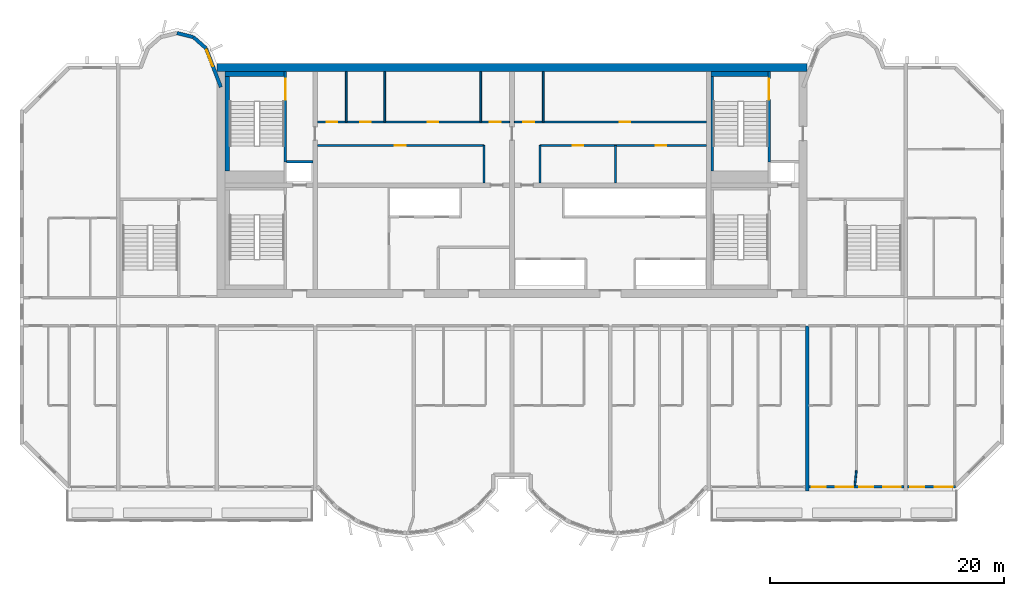
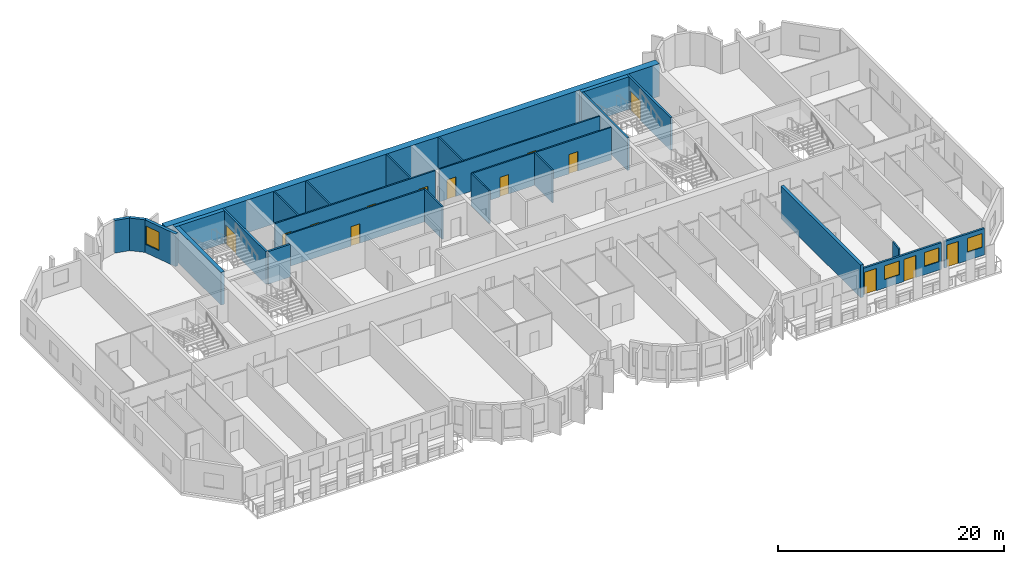
# One storey, part 7 of 13: 26 walls, 14 doors, 4 windows, 18 openings.
"""IFC4 building model written with IfcOpenShell, lengths in metres."""

from ifc_helpers import new_model, si_unit, direction, frame, frame_2d, origin, place, context, subcontext, project, spatial, rectangle, extrude, source, transform, mapped, material, layer, layer_set, type_object, element, fill, save


model = new_model("IFC4")

# Units and contexts
model_context = context("Model", 3, precision=1e-05, world=origin(), true_north=direction((0.0, 1.0)))
body_context = subcontext(model_context, "Body", "Model", "MODEL_VIEW")
ifc_project = project(units=[si_unit("LENGTHUNIT", "METRE"), si_unit("AREAUNIT", "SQUARE_METRE"), si_unit("VOLUMEUNIT", "CUBIC_METRE"), si_unit("PLANEANGLEUNIT", "RADIAN"), si_unit("MASSUNIT", "GRAM", prefix="KILO")], contexts=[model_context])

# Site, building, storey
site_placement = place(None, origin())
site = spatial("IfcSite", under=ifc_project, at=site_placement, CompositionType="ELEMENT")
building_placement = place(site_placement, origin())
building = spatial("IfcBuilding", under=site, at=building_placement, Name="Vanashikhar Sky Hotel", CompositionType="ELEMENT")
storey_placement = place(building_placement, frame((0.0, 0.0, 197.199951171875)))
storey = spatial("IfcBuildingStorey", under=building, at=storey_placement, Name="L48", CompositionType="ELEMENT", Elevation=197.199951171875)

# Walls
ifc_material_1 = material(Name="Concrete M60", Category="concrete")
ifc_layer_1 = layer(ifc_material_1, 0.699951171875)
ifc_layer_set_1 = layer_set([ifc_layer_1], Name="RC core shell wall 700 Concrete M60")
wall_type_1 = type_object("IfcWallType", Name="RC core shell wall 700 Concrete M60", PredefinedType="SHEAR", material=ifc_layer_set_1)
shared_shape_1 = source(origin(), body_context, "Body", "SweptSolid", [
    extrude(rectangle(XDim=50.400146484375, YDim=0.699951171875, at=frame_2d((25.2001953125, 0.0))), origin(), (0.0, 0.0, 1.0), 3.52001953125),
])
wall_1_placement = place(storey_placement, frame((25.199951171875, 41.64990234375, 0.0), z_axis=(0.0, 0.0, 1.0), x_axis=(1.0, 0.0, 0.0)))
element("IfcWall", 1, at=wall_1_placement, inside=storey, type_object=wall_type_1, Name="KW-L48-KN", PredefinedType="SHEAR", context=body_context, shape_type="MappedRepresentation", body=[
    mapped(shared_shape_1, transform((0.0, 0.0, 0.0), scale=1.0)),
])
ifc_layer_2 = layer(ifc_material_1, 0.300048828125)
ifc_layer_set_2 = layer_set([ifc_layer_2], Name="RC shear wall 300 Concrete M60")
wall_type_2 = type_object("IfcWallType", Name="RC shear wall 300 Concrete M60", PredefinedType="SHEAR", material=ifc_layer_set_2)
shared_shape_2 = source(origin(), body_context, "Body", "SweptSolid", [
    extrude(rectangle(XDim=14.10009765625, YDim=0.300048828125, at=frame_2d((7.050048828125, 0.0))), origin(), (0.0, 0.0, 1.0), 3.52001953125),
])
wall_2_placement = place(storey_placement, frame((75.60009765625, 5.5, 0.0), z_axis=(0.0, 0.0, 1.0), x_axis=(0.0, 1.0, 0.0)))
element("IfcWall", 2, at=wall_2_placement, inside=storey, type_object=wall_type_2, Name="CW-L48-XW10-1", PredefinedType="SHEAR", context=body_context, shape_type="MappedRepresentation", body=[
    mapped(shared_shape_2, transform((0.0, 0.0, 0.0), scale=1.0)),
])

# Wall, opening, window
ifc_material_2 = material(Name="Concrete M50", Category="concrete")
ifc_layer_3 = layer(ifc_material_2, 0.300048828125)
ifc_layer_set_3 = layer_set([ifc_layer_3], Name="Lobe wall 300")
wall_type_3 = type_object("IfcWallType", Name="Lobe wall 300", PredefinedType="SOLIDWALL", material=ifc_layer_set_3)
shared_shape_3 = source(origin(), body_context, "Body", "SweptSolid", [
    extrude(rectangle(XDim=3.55908203125, YDim=0.300048828125, at=frame_2d((1.779541015625, 0.0))), origin(), (0.0, 0.0, 1.0), 3.52001953125),
])
wall_3_placement = place(storey_placement, frame((25.550048828125, 39.968505859375, 0.0), z_axis=(0.0, 0.0, 1.0), x_axis=(-0.35779745313, 0.933799219604, 0.0)))
wall_3 = element("IfcWall", 3, at=wall_3_placement, inside=storey, type_object=wall_type_3, Name="Lobe wall", PredefinedType="SOLIDWALL", context=body_context, shape_type="MappedRepresentation", body=[
    mapped(shared_shape_3, transform((0.0, 0.0, 0.0), scale=1.0)),
])
shared_shape_4 = source(origin(), body_context, "Body", "SweptSolid", [
    extrude(rectangle(XDim=1.5, YDim=2.0, at=frame_2d((0.75, 1.0))), frame((0.0, 0.16015625, 0.0), z_axis=(0.0, -1.0, 0.0), x_axis=(1.0, 0.0, 0.0)), (0.0, 0.0, 1.0), 0.320068359375),
])
opening_1_placement = place(wall_3_placement, frame((1.9033203125, 0.0, 0.89990234375)))
opening_1 = element("IfcOpeningElement", 4, at=opening_1_placement, cuts=wall_3, Name="Opening WN-2", PredefinedType="OPENING", context=body_context, shape_type="MappedRepresentation", body=[
    mapped(shared_shape_4, transform((0.0, 0.0, 0.0), scale=1.0)),
])
ifc_material_3 = material(Name="Glass", Category="glass")
window_type_1 = type_object("IfcWindowType", Name="Lobe window 1500 x 2000", PartitioningType="SINGLE_PANEL", PredefinedType="WINDOW", material=ifc_material_3)
shared_shape_5 = source(origin(), body_context, "Body", "SweptSolid", [
    extrude(rectangle(XDim=1.5, YDim=2.0, at=frame_2d((0.75, 1.0))), frame((0.0, 0.030029296875, 0.0), z_axis=(0.0, -1.0, 0.0), x_axis=(1.0, 0.0, 0.0)), (0.0, 0.0, 1.0), 0.06005859375),
])
window_1_placement = place(opening_1_placement, origin())
window_1 = element("IfcWindow", 5, at=window_1_placement, inside=storey, type_object=window_type_1, Name="Window WN-2", OverallHeight=2.0, OverallWidth=1.5, PartitioningType="SINGLE_PANEL", PredefinedType="WINDOW", context=body_context, shape_type="MappedRepresentation", body=[
    mapped(shared_shape_5, transform((0.0, 0.0, 0.0), scale=1.0)),
])
fill(opening_1, window_1)

# Walls
shared_shape_6 = source(origin(), body_context, "Body", "SweptSolid", [
    extrude(rectangle(XDim=1.440185546875, YDim=0.300048828125, at=frame_2d((0.72021484375, 0.0))), origin(), (0.0, 0.0, 1.0), 3.52001953125),
])
wall_4_placement = place(storey_placement, frame((24.276611328125, 43.2919921875, 0.0), z_axis=(0.0, 0.0, 1.0), x_axis=(-0.749649827867, 0.661834673902, 0.0)))
element("IfcWall", 6, at=wall_4_placement, inside=storey, type_object=wall_type_3, Name="Lobe wall", PredefinedType="SOLIDWALL", context=body_context, shape_type="MappedRepresentation", body=[
    mapped(shared_shape_6, transform((0.0, 0.0, 0.0), scale=1.0)),
])
shared_shape_7 = source(origin(), body_context, "Body", "SweptSolid", [
    extrude(rectangle(XDim=1.4384765625, YDim=0.300048828125, at=frame_2d((0.71923828125, 0.0))), origin(), (0.0, 0.0, 1.0), 3.52001953125),
])
wall_5_placement = place(storey_placement, frame((23.197021484375, 44.2451171875, 0.0), z_axis=(0.0, 0.0, 1.0), x_axis=(-0.971152283879, 0.238460146601, 0.0)))
element("IfcWall", 7, at=wall_5_placement, inside=storey, type_object=wall_type_3, Name="Lobe wall", PredefinedType="SOLIDWALL", context=body_context, shape_type="MappedRepresentation", body=[
    mapped(shared_shape_7, transform((0.0, 0.0, 0.0), scale=1.0)),
])

# Wall, openings, window, door
ifc_layer_4 = layer(ifc_material_2, 0.199951171875)
ifc_layer_set_4 = layer_set([ifc_layer_4], Name="Front window wall 200")
wall_type_4 = type_object("IfcWallType", Name="Front window wall 200", PredefinedType="SOLIDWALL", material=ifc_layer_set_4)
shared_shape_8 = source(origin(), body_context, "Body", "SweptSolid", [
    extrude(rectangle(XDim=4.10498046875, YDim=0.199951171875, at=frame_2d((2.052490234375, 0.0))), origin(), (0.0, 0.0, 1.0), 2.8701171875),
])
wall_6_placement = place(storey_placement, frame((84.14990234375, 5.85009765625, 0.0), z_axis=(0.0, 0.0, 1.0), x_axis=(1.0, 0.0, 0.0)))
wall_6 = element("IfcWall", 8, at=wall_6_placement, inside=storey, type_object=wall_type_4, Name="Front window wall", PredefinedType="SOLIDWALL", context=body_context, shape_type="MappedRepresentation", body=[
    mapped(shared_shape_8, transform((0.0, 0.0, 0.0), scale=1.0)),
])
shared_shape_9 = source(origin(), body_context, "Body", "SweptSolid", [
    extrude(rectangle(XDim=1.199951171875, YDim=2.39990234375, at=frame_2d((0.60009765625, 1.199951171875))), frame((0.0, 0.10986328125, 0.0), z_axis=(0.0, -1.0, 0.0), x_axis=(1.0, 0.0, 0.0)), (0.0, 0.0, 1.0), 0.219970703125),
])
opening_2_placement = place(wall_6_placement, frame((0.25, 0.0, 0.0)))
opening_2 = element("IfcOpeningElement", 9, at=opening_2_placement, cuts=wall_6, Name="Opening BD-10", PredefinedType="OPENING", context=body_context, shape_type="MappedRepresentation", body=[
    mapped(shared_shape_9, transform((0.0, 0.0, 0.0), scale=1.0)),
])
shared_shape_10 = source(origin(), body_context, "Body", "SweptSolid", [
    extrude(rectangle(XDim=1.5, YDim=1.5, at=frame_2d((0.75, 0.75))), frame((0.0, 0.10986328125, 0.0), z_axis=(0.0, -1.0, 0.0), x_axis=(1.0, 0.0, 0.0)), (0.0, 0.0, 1.0), 0.219970703125),
])
opening_3_placement = place(wall_6_placement, frame((2.35498046875, 0.0, 0.89990234375)))
opening_3 = element("IfcOpeningElement", 10, at=opening_3_placement, cuts=wall_6, Name="Opening WN-1", PredefinedType="OPENING", context=body_context, shape_type="MappedRepresentation", body=[
    mapped(shared_shape_10, transform((0.0, 0.0, 0.0), scale=1.0)),
])
window_type_2 = type_object("IfcWindowType", Name="Window 1500 x 1500", PartitioningType="SINGLE_PANEL", PredefinedType="WINDOW", material=ifc_material_3)
shared_shape_11 = source(origin(), body_context, "Body", "SweptSolid", [
    extrude(rectangle(XDim=1.5, YDim=1.5, at=frame_2d((0.75, 0.75))), frame((0.0, 0.030029296875, 0.0), z_axis=(0.0, -1.0, 0.0), x_axis=(1.0, 0.0, 0.0)), (0.0, 0.0, 1.0), 0.06005859375),
])
window_2_placement = place(opening_3_placement, origin())
window_2 = element("IfcWindow", 11, at=window_2_placement, inside=storey, type_object=window_type_2, Name="Window WN-1", OverallHeight=1.5, OverallWidth=1.5, PartitioningType="SINGLE_PANEL", PredefinedType="WINDOW", context=body_context, shape_type="MappedRepresentation", body=[
    mapped(shared_shape_11, transform((0.0, 0.0, 0.0), scale=1.0)),
])
fill(opening_3, window_2)
ifc_material_4 = material(Name="Aluminium", Category="aluminium")
door_type_1 = type_object("IfcDoorType", Name="Balcony sliding door 1200 x 2400", OperationType="NOTDEFINED", PredefinedType="DOOR", material=ifc_material_4)
shared_shape_12 = source(origin(), body_context, "Body", "SweptSolid", [
    extrude(rectangle(XDim=1.199951171875, YDim=2.39990234375, at=frame_2d((0.60009765625, 1.199951171875))), frame((0.0, 0.02490234375, 0.0), z_axis=(0.0, -1.0, 0.0), x_axis=(1.0, 0.0, 0.0)), (0.0, 0.0, 1.0), 0.050048828125),
])
door_1_placement = place(opening_2_placement, origin())
door_1 = element("IfcDoor", 12, at=door_1_placement, inside=storey, type_object=door_type_1, Name="Balcony sliding door", OperationType="SLIDING_TO_RIGHT", OverallHeight=2.39990234375, OverallWidth=1.199951171875, PredefinedType="DOOR", context=body_context, shape_type="MappedRepresentation", body=[
    mapped(shared_shape_12, transform((0.0, 0.0, 0.0), scale=1.0)),
])
fill(opening_2, door_1)

# Wall, openings, windows, doors
shared_shape_13 = source(origin(), body_context, "Body", "SweptSolid", [
    extrude(rectangle(XDim=8.10009765625, YDim=0.199951171875, at=frame_2d((4.050048828125, 0.0))), origin(), (0.0, 0.0, 1.0), 2.8701171875),
])
wall_7_placement = place(storey_placement, frame((75.75, 5.85009765625, 0.0), z_axis=(0.0, 0.0, 1.0), x_axis=(1.0, 0.0, 0.0)))
wall_7 = element("IfcWall", 13, at=wall_7_placement, inside=storey, type_object=wall_type_4, Name="Front window wall", PredefinedType="SOLIDWALL", context=body_context, shape_type="MappedRepresentation", body=[
    mapped(shared_shape_13, transform((0.0, 0.0, 0.0), scale=1.0)),
])
opening_4_placement = place(wall_7_placement, frame((0.25, 0.0, 0.0)))
opening_4 = element("IfcOpeningElement", 14, at=opening_4_placement, cuts=wall_7, Name="Opening BD-08", PredefinedType="OPENING", context=body_context, shape_type="MappedRepresentation", body=[
    mapped(shared_shape_9, transform((0.0, 0.0, 0.0), scale=1.0)),
])
opening_5_placement = place(wall_7_placement, frame((2.300048828125, 0.0, 0.89990234375)))
opening_5 = element("IfcOpeningElement", 15, at=opening_5_placement, cuts=wall_7, Name="Opening WN-1", PredefinedType="OPENING", context=body_context, shape_type="MappedRepresentation", body=[
    mapped(shared_shape_10, transform((0.0, 0.0, 0.0), scale=1.0)),
])
opening_6_placement = place(wall_7_placement, frame((4.300048828125, 0.0, 0.0)))
opening_6 = element("IfcOpeningElement", 16, at=opening_6_placement, cuts=wall_7, Name="Opening BD-09", PredefinedType="OPENING", context=body_context, shape_type="MappedRepresentation", body=[
    mapped(shared_shape_9, transform((0.0, 0.0, 0.0), scale=1.0)),
])
opening_7_placement = place(wall_7_placement, frame((6.35009765625, 0.0, 0.89990234375)))
opening_7 = element("IfcOpeningElement", 17, at=opening_7_placement, cuts=wall_7, Name="Opening WN-1", PredefinedType="OPENING", context=body_context, shape_type="MappedRepresentation", body=[
    mapped(shared_shape_10, transform((0.0, 0.0, 0.0), scale=1.0)),
])
window_3_placement = place(opening_5_placement, origin())
window_3 = element("IfcWindow", 18, at=window_3_placement, inside=storey, type_object=window_type_2, Name="Window WN-1", OverallHeight=1.5, OverallWidth=1.5, PartitioningType="SINGLE_PANEL", PredefinedType="WINDOW", context=body_context, shape_type="MappedRepresentation", body=[
    mapped(shared_shape_11, transform((0.0, 0.0, 0.0), scale=1.0)),
])
fill(opening_5, window_3)
window_4_placement = place(opening_7_placement, origin())
window_4 = element("IfcWindow", 19, at=window_4_placement, inside=storey, type_object=window_type_2, Name="Window WN-1", OverallHeight=1.5, OverallWidth=1.5, PartitioningType="SINGLE_PANEL", PredefinedType="WINDOW", context=body_context, shape_type="MappedRepresentation", body=[
    mapped(shared_shape_11, transform((0.0, 0.0, 0.0), scale=1.0)),
])
fill(opening_7, window_4)
door_2_placement = place(opening_4_placement, origin())
door_2 = element("IfcDoor", 20, at=door_2_placement, inside=storey, type_object=door_type_1, Name="Balcony sliding door", OperationType="SLIDING_TO_RIGHT", OverallHeight=2.39990234375, OverallWidth=1.199951171875, PredefinedType="DOOR", context=body_context, shape_type="MappedRepresentation", body=[
    mapped(shared_shape_12, transform((0.0, 0.0, 0.0), scale=1.0)),
])
fill(opening_4, door_2)
door_3_placement = place(opening_6_placement, origin())
door_3 = element("IfcDoor", 21, at=door_3_placement, inside=storey, type_object=door_type_1, Name="Balcony sliding door", OperationType="SLIDING_TO_LEFT", OverallHeight=2.39990234375, OverallWidth=1.199951171875, PredefinedType="DOOR", context=body_context, shape_type="MappedRepresentation", body=[
    mapped(shared_shape_12, transform((0.0, 0.0, 0.0), scale=1.0)),
])
fill(opening_6, door_3)

# Walls
ifc_material_5 = material(Name="Concrete M40", Category="concrete")
ifc_layer_5 = layer(ifc_material_5, 0.199951171875)
ifc_layer_set_5 = layer_set([ifc_layer_5], Name="Shaft wall 200")
wall_type_5 = type_object("IfcWallType", Name="Shaft wall 200", PredefinedType="SOLIDWALL", material=ifc_layer_set_5)
shared_shape_14 = source(origin(), body_context, "Body", "SweptSolid", [
    extrude(rectangle(XDim=2.25, YDim=0.199951171875, at=frame_2d((1.125, 0.0))), origin(), (0.0, 0.0, 1.0), 3.52001953125),
])
wall_8_placement = place(storey_placement, frame((31.14990234375, 33.60009765625, 0.0), z_axis=(0.0, 0.0, 1.0), x_axis=(1.0, 0.0, 0.0)))
element("IfcWall", 22, at=wall_8_placement, inside=storey, type_object=wall_type_5, Name="Shaft wall 200", PredefinedType="SOLIDWALL", context=body_context, shape_type="MappedRepresentation", body=[
    mapped(shared_shape_14, transform((0.0, 0.0, 0.0), scale=1.0)),
])
ifc_layer_6 = layer(ifc_material_2, 0.199951171875)
ifc_layer_set_6 = layer_set([ifc_layer_6], Name="Stair infill wall 200")
wall_type_6 = type_object("IfcWallType", Name="Stair infill wall 200", PredefinedType="SOLIDWALL", material=ifc_layer_set_6)
shared_shape_15 = source(origin(), body_context, "Body", "SweptSolid", [
    extrude(rectangle(XDim=8.099853515625, YDim=0.199951171875, at=frame_2d((4.0498046875, 0.0))), origin(), (0.0, 0.0, 1.0), 3.52001953125),
])
wall_9_placement = place(storey_placement, frame((67.5, 32.800048828125, 0.0), z_axis=(0.0, 0.0, 1.0), x_axis=(0.0, 1.0, 0.0)))
element("IfcWall", 23, at=wall_9_placement, inside=storey, type_object=wall_type_6, Name="Stair infill wall 200", PredefinedType="SOLIDWALL", context=body_context, shape_type="MappedRepresentation", body=[
    mapped(shared_shape_15, transform((0.0, 0.0, 0.0), scale=1.0)),
])
ifc_material_6 = material(Name="Gypsum board partition")
ifc_layer_7 = layer(ifc_material_6, 0.14990234375)
ifc_layer_set_7 = layer_set([ifc_layer_7], Name="Service partition 150")
wall_type_7 = type_object("IfcWallType", Name="Service partition 150", PredefinedType="PARTITIONING", material=ifc_layer_set_7)
shared_shape_16 = source(origin(), body_context, "Body", "SweptSolid", [
    extrude(rectangle(XDim=3.199951171875, YDim=0.14990234375, at=frame_2d((1.60009765625, 0.0))), origin(), (0.0, 0.0, 1.0), 3.52001953125),
])
for number, where, z_axis, x_axis, name in (
    (24, (48.0, 31.800048828125, 0.0), (0.0, 0.0, 1.0), (0.0, 1.0, 0.0), "Service partition 150"),
    (25, (52.800048828125, 31.800048828125, 0.0), (0.0, 0.0, 1.0), (0.0, 1.0, 0.0), "Service partition 150"),
    (26, (59.23095703125, 31.800048828125, 0.0), (0.0, 0.0, 1.0), (0.0, 1.0, 0.0), "Service partition 150"),
):
    element("IfcWall", number, at=place(storey_placement, frame(where, z_axis=z_axis, x_axis=x_axis)), inside=storey, type_object=wall_type_7, Name=name, PredefinedType="PARTITIONING", context=body_context, shape_type="MappedRepresentation", body=[
        mapped(shared_shape_16, transform((0.0, 0.0, 0.0), scale=1.0)),
    ])

# Wall, opening, door
shared_shape_17 = source(origin(), body_context, "Body", "SweptSolid", [
    extrude(rectangle(XDim=14.199951171875, YDim=0.14990234375, at=frame_2d((7.10009765625, 0.0))), origin(), (0.0, 0.0, 1.0), 3.52001953125),
])
wall_10_placement = place(storey_placement, frame((33.800048828125, 35.0, 0.0), z_axis=(0.0, 0.0, 1.0), x_axis=(1.0, 0.0, 0.0)))
wall_10 = element("IfcWall", 27, at=wall_10_placement, inside=storey, type_object=wall_type_7, Name="Service partition 150", PredefinedType="PARTITIONING", context=body_context, shape_type="MappedRepresentation", body=[
    mapped(shared_shape_17, transform((0.0, 0.0, 0.0), scale=1.0)),
])
shared_shape_18 = source(origin(), body_context, "Body", "SweptSolid", [
    extrude(rectangle(XDim=0.89990234375, YDim=2.10009765625, at=frame_2d((0.449951171875, 1.050048828125))), frame((0.0, 0.0849609375, 0.0), z_axis=(0.0, -1.0, 0.0), x_axis=(1.0, 0.0, 0.0)), (0.0, 0.0, 1.0), 0.169921875),
])
opening_8_placement = place(wall_10_placement, frame((6.612060546875, 0.0, 0.0)))
opening_8 = element("IfcOpeningElement", 28, at=opening_8_placement, cuts=wall_10, Name="Opening DC-4-A", PredefinedType="OPENING", context=body_context, shape_type="MappedRepresentation", body=[
    mapped(shared_shape_18, transform((0.0, 0.0, 0.0), scale=1.0)),
])
ifc_material_7 = material(Name="Steel", Category="steel")
door_type_2 = type_object("IfcDoorType", Name="Service door 900 FD60", OperationType="NOTDEFINED", PredefinedType="DOOR", material=ifc_material_7)
shared_shape_19 = source(origin(), body_context, "Body", "SweptSolid", [
    extrude(rectangle(XDim=0.89990234375, YDim=2.10009765625, at=frame_2d((0.449951171875, 1.050048828125))), frame((0.0, 0.02490234375, 0.0), z_axis=(0.0, -1.0, 0.0), x_axis=(1.0, 0.0, 0.0)), (0.0, 0.0, 1.0), 0.050048828125),
])
door_4_placement = place(opening_8_placement, origin())
door_4 = element("IfcDoor", 29, at=door_4_placement, inside=storey, type_object=door_type_2, Name="Service door 900 FD60", OperationType="SINGLE_SWING_RIGHT", OverallHeight=2.10009765625, OverallWidth=0.89990234375, PredefinedType="DOOR", context=body_context, shape_type="MappedRepresentation", body=[
    mapped(shared_shape_19, transform((0.0, 0.0, 0.0), scale=1.0)),
])
fill(opening_8, door_4)

# Wall, openings, doors
wall_11_placement = place(storey_placement, frame((67.0, 35.0, 0.0), z_axis=(0.0, 0.0, 1.0), x_axis=(-1.0, 0.0, 0.0)))
wall_11 = element("IfcWall", 30, at=wall_11_placement, inside=storey, type_object=wall_type_7, Name="Service partition 150", PredefinedType="PARTITIONING", context=body_context, shape_type="MappedRepresentation", body=[
    mapped(shared_shape_17, transform((0.0, 0.0, 0.0), scale=1.0)),
])
opening_9_placement = place(wall_11_placement, frame((3.43408203125, 0.0, 0.0)))
opening_9 = element("IfcOpeningElement", 31, at=opening_9_placement, cuts=wall_11, Name="Opening DC-4-A", PredefinedType="OPENING", context=body_context, shape_type="MappedRepresentation", body=[
    mapped(shared_shape_18, transform((0.0, 0.0, 0.0), scale=1.0)),
])
opening_10_placement = place(wall_11_placement, frame((10.4970703125, 0.0, 0.0)))
opening_10 = element("IfcOpeningElement", 32, at=opening_10_placement, cuts=wall_11, Name="Opening DC-4-A", PredefinedType="OPENING", context=body_context, shape_type="MappedRepresentation", body=[
    mapped(shared_shape_18, transform((0.0, 0.0, 0.0), scale=1.0)),
])
door_5_placement = place(opening_9_placement, origin())
door_5 = element("IfcDoor", 33, at=door_5_placement, inside=storey, type_object=door_type_2, Name="Service door 900 FD60", OperationType="SINGLE_SWING_LEFT", OverallHeight=2.10009765625, OverallWidth=0.89990234375, PredefinedType="DOOR", context=body_context, shape_type="MappedRepresentation", body=[
    mapped(shared_shape_19, transform((0.0, 0.0, 0.0), scale=1.0)),
])
fill(opening_9, door_5)
door_6_placement = place(opening_10_placement, origin())
door_6 = element("IfcDoor", 34, at=door_6_placement, inside=storey, type_object=door_type_2, Name="Service door 900 FD60", OperationType="SINGLE_SWING_RIGHT", OverallHeight=2.10009765625, OverallWidth=0.89990234375, PredefinedType="DOOR", context=body_context, shape_type="MappedRepresentation", body=[
    mapped(shared_shape_19, transform((0.0, 0.0, 0.0), scale=1.0)),
])
fill(opening_10, door_6)

shared_shape_20 = source(origin(), body_context, "Body", "SweptSolid", [
    extrude(rectangle(XDim=16.39990234375, YDim=0.14990234375, at=frame_2d((8.199951171875, 0.0))), origin(), (0.0, 0.0, 1.0), 3.52001953125),
])
wall_12_placement = place(storey_placement, frame((33.800048828125, 37.0, 0.0), z_axis=(0.0, 0.0, 1.0), x_axis=(1.0, 0.0, 0.0)))
wall_12 = element("IfcWall", 35, at=wall_12_placement, inside=storey, type_object=wall_type_7, Name="Service partition 150", PredefinedType="PARTITIONING", context=body_context, shape_type="MappedRepresentation", body=[
    mapped(shared_shape_20, transform((0.0, 0.0, 0.0), scale=1.0)),
])
opening_11_placement = place(wall_12_placement, frame((0.780029296875, 0.0, 0.0)))
opening_11 = element("IfcOpeningElement", 36, at=opening_11_placement, cuts=wall_12, Name="Opening DC-4-A", PredefinedType="OPENING", context=body_context, shape_type="MappedRepresentation", body=[
    mapped(shared_shape_18, transform((0.0, 0.0, 0.0), scale=1.0)),
])
opening_12_placement = place(wall_12_placement, frame((3.64990234375, 0.0, 0.0)))
opening_12 = element("IfcOpeningElement", 37, at=opening_12_placement, cuts=wall_12, Name="Opening DC-4-A", PredefinedType="OPENING", context=body_context, shape_type="MappedRepresentation", body=[
    mapped(shared_shape_18, transform((0.0, 0.0, 0.0), scale=1.0)),
])
opening_13_placement = place(wall_12_placement, frame((9.389892578125, 0.0, 0.0)))
opening_13 = element("IfcOpeningElement", 38, at=opening_13_placement, cuts=wall_12, Name="Opening DC-4-A", PredefinedType="OPENING", context=body_context, shape_type="MappedRepresentation", body=[
    mapped(shared_shape_18, transform((0.0, 0.0, 0.0), scale=1.0)),
])
opening_14_placement = place(wall_12_placement, frame((14.719970703125, 0.0, 0.0)))
opening_14 = element("IfcOpeningElement", 39, at=opening_14_placement, cuts=wall_12, Name="Opening DC-4-A", PredefinedType="OPENING", context=body_context, shape_type="MappedRepresentation", body=[
    mapped(shared_shape_18, transform((0.0, 0.0, 0.0), scale=1.0)),
])
door_7_placement = place(opening_11_placement, origin())
door_7 = element("IfcDoor", 40, at=door_7_placement, inside=storey, type_object=door_type_2, Name="Service door 900 FD60", OperationType="SINGLE_SWING_RIGHT", OverallHeight=2.10009765625, OverallWidth=0.89990234375, PredefinedType="DOOR", context=body_context, shape_type="MappedRepresentation", body=[
    mapped(shared_shape_19, transform((0.0, 0.0, 0.0), scale=1.0)),
])
fill(opening_11, door_7)
door_8_placement = place(opening_12_placement, origin())
door_8 = element("IfcDoor", 41, at=door_8_placement, inside=storey, type_object=door_type_2, Name="Service door 900 FD60", OperationType="SINGLE_SWING_RIGHT", OverallHeight=2.10009765625, OverallWidth=0.89990234375, PredefinedType="DOOR", context=body_context, shape_type="MappedRepresentation", body=[
    mapped(shared_shape_19, transform((0.0, 0.0, 0.0), scale=1.0)),
])
fill(opening_12, door_8)
door_9_placement = place(opening_13_placement, origin())
door_9 = element("IfcDoor", 42, at=door_9_placement, inside=storey, type_object=door_type_2, Name="Service door 900 FD60", OperationType="SINGLE_SWING_RIGHT", OverallHeight=2.10009765625, OverallWidth=0.89990234375, PredefinedType="DOOR", context=body_context, shape_type="MappedRepresentation", body=[
    mapped(shared_shape_19, transform((0.0, 0.0, 0.0), scale=1.0)),
])
fill(opening_13, door_9)
door_10_placement = place(opening_14_placement, origin())
door_10 = element("IfcDoor", 43, at=door_10_placement, inside=storey, type_object=door_type_2, Name="Service door 900 FD60", OperationType="SINGLE_SWING_LEFT", OverallHeight=2.10009765625, OverallWidth=0.89990234375, PredefinedType="DOOR", context=body_context, shape_type="MappedRepresentation", body=[
    mapped(shared_shape_19, transform((0.0, 0.0, 0.0), scale=1.0)),
])
fill(opening_14, door_10)

wall_13_placement = place(storey_placement, frame((67.0, 37.0, 0.0), z_axis=(0.0, 0.0, 1.0), x_axis=(-1.0, 0.0, 0.0)))
wall_13 = element("IfcWall", 44, at=wall_13_placement, inside=storey, type_object=wall_type_7, Name="Service partition 150", PredefinedType="PARTITIONING", context=body_context, shape_type="MappedRepresentation", body=[
    mapped(shared_shape_20, transform((0.0, 0.0, 0.0), scale=1.0)),
])
opening_15_placement = place(wall_13_placement, frame((6.52001953125, 0.0, 0.0)))
opening_15 = element("IfcOpeningElement", 45, at=opening_15_placement, cuts=wall_13, Name="Opening DC-4-A", PredefinedType="OPENING", context=body_context, shape_type="MappedRepresentation", body=[
    mapped(shared_shape_18, transform((0.0, 0.0, 0.0), scale=1.0)),
])
opening_16_placement = place(wall_13_placement, frame((14.719970703125, 0.0, 0.0)))
opening_16 = element("IfcOpeningElement", 46, at=opening_16_placement, cuts=wall_13, Name="Opening DC-4-A", PredefinedType="OPENING", context=body_context, shape_type="MappedRepresentation", body=[
    mapped(shared_shape_18, transform((0.0, 0.0, 0.0), scale=1.0)),
])
door_11_placement = place(opening_15_placement, origin())
door_11 = element("IfcDoor", 47, at=door_11_placement, inside=storey, type_object=door_type_2, Name="Service door 900 FD60", OperationType="SINGLE_SWING_RIGHT", OverallHeight=2.10009765625, OverallWidth=0.89990234375, PredefinedType="DOOR", context=body_context, shape_type="MappedRepresentation", body=[
    mapped(shared_shape_19, transform((0.0, 0.0, 0.0), scale=1.0)),
])
fill(opening_15, door_11)
door_12_placement = place(opening_16_placement, origin())
door_12 = element("IfcDoor", 48, at=door_12_placement, inside=storey, type_object=door_type_2, Name="Service door 900 FD60", OperationType="SINGLE_SWING_LEFT", OverallHeight=2.10009765625, OverallWidth=0.89990234375, PredefinedType="DOOR", context=body_context, shape_type="MappedRepresentation", body=[
    mapped(shared_shape_19, transform((0.0, 0.0, 0.0), scale=1.0)),
])
fill(opening_16, door_12)

# Walls
shared_shape_21 = source(origin(), body_context, "Body", "SweptSolid", [
    extrude(rectangle(XDim=4.300048828125, YDim=0.14990234375, at=frame_2d((2.14990234375, 0.0))), origin(), (0.0, 0.0, 1.0), 3.52001953125),
])
for number, where, z_axis, x_axis, name in (
    (49, (36.260009765625, 37.0, 0.0), (0.0, 0.0, 1.0), (0.0, 1.0, 0.0), "Service partition 150"),
    (50, (39.5400390625, 37.0, 0.0), (0.0, 0.0, 1.0), (0.0, 1.0, 0.0), "Service partition 150"),
    (51, (47.739990234375, 37.0, 0.0), (0.0, 0.0, 1.0), (0.0, 1.0, 0.0), "Service partition 150"),
    (52, (53.06005859375, 37.0, 0.0), (0.0, 0.0, 1.0), (0.0, 1.0, 0.0), "Service partition 150"),
):
    element("IfcWall", number, at=place(storey_placement, frame(where, z_axis=z_axis, x_axis=x_axis)), inside=storey, type_object=wall_type_7, Name=name, PredefinedType="PARTITIONING", context=body_context, shape_type="MappedRepresentation", body=[
        mapped(shared_shape_21, transform((0.0, 0.0, 0.0), scale=1.0)),
    ])

# Wall, opening, door
ifc_layer_8 = layer(ifc_material_2, 0.199951171875)
ifc_layer_set_8 = layer_set([ifc_layer_8], Name="Stair wall 200")
wall_type_8 = type_object("IfcWallType", Name="Stair wall 200", PredefinedType="SOLIDWALL", material=ifc_layer_set_8)
shared_shape_22 = source(origin(), body_context, "Body", "SweptSolid", [
    extrude(rectangle(XDim=7.699951171875, YDim=0.199951171875, at=frame_2d((3.85009765625, 0.0))), origin(), (0.0, 0.0, 1.0), 3.52001953125),
])
wall_14_placement = place(storey_placement, frame((31.050048828125, 33.60009765625, 0.0), z_axis=(0.0, 0.0, 1.0), x_axis=(0.0, 1.0, 0.0)))
wall_14 = element("IfcWall", 53, at=wall_14_placement, inside=storey, type_object=wall_type_8, Name="Stair wall 200", PredefinedType="SOLIDWALL", context=body_context, shape_type="MappedRepresentation", body=[
    mapped(shared_shape_22, transform((0.0, 0.0, 0.0), scale=1.0)),
])
shared_shape_23 = source(origin(), body_context, "Body", "SweptSolid", [
    extrude(rectangle(XDim=1.800048828125, YDim=2.10009765625, at=frame_2d((0.89990234375, 1.050048828125))), frame((0.0, 0.10986328125, 0.0), z_axis=(0.0, -1.0, 0.0), x_axis=(1.0, 0.0, 0.0)), (0.0, 0.0, 1.0), 0.219970703125),
])
opening_17_placement = place(wall_14_placement, frame((5.300048828125, 0.0, 0.0)))
opening_17 = element("IfcOpeningElement", 54, at=opening_17_placement, cuts=wall_14, Name="Opening DC-1-A", PredefinedType="OPENING", context=body_context, shape_type="MappedRepresentation", body=[
    mapped(shared_shape_23, transform((0.0, 0.0, 0.0), scale=1.0)),
])
door_type_3 = type_object("IfcDoorType", Name="Stair door 1800 FD120", OperationType="NOTDEFINED", PredefinedType="DOOR", material=ifc_material_7)
shared_shape_24 = source(origin(), body_context, "Body", "SweptSolid", [
    extrude(rectangle(XDim=1.800048828125, YDim=2.10009765625, at=frame_2d((0.89990234375, 1.050048828125))), frame((0.0, 0.02490234375, 0.0), z_axis=(0.0, -1.0, 0.0), x_axis=(1.0, 0.0, 0.0)), (0.0, 0.0, 1.0), 0.050048828125),
])
door_13_placement = place(opening_17_placement, origin())
door_13 = element("IfcDoor", 55, at=door_13_placement, inside=storey, type_object=door_type_3, Name="Stair door 1800 FD120", OperationType="SINGLE_SWING_LEFT", OverallHeight=2.10009765625, OverallWidth=1.800048828125, PredefinedType="DOOR", context=body_context, shape_type="MappedRepresentation", body=[
    mapped(shared_shape_24, transform((0.0, 0.0, 0.0), scale=1.0)),
])
fill(opening_17, door_13)

wall_15_placement = place(storey_placement, frame((72.35009765625, 33.60009765625, 0.0), z_axis=(0.0, 0.0, 1.0), x_axis=(0.0, 1.0, 0.0)))
wall_15 = element("IfcWall", 56, at=wall_15_placement, inside=storey, type_object=wall_type_8, Name="Stair wall 200", PredefinedType="SOLIDWALL", context=body_context, shape_type="MappedRepresentation", body=[
    mapped(shared_shape_22, transform((0.0, 0.0, 0.0), scale=1.0)),
])
opening_18_placement = place(wall_15_placement, frame((5.300048828125, 0.0, 0.0)))
opening_18 = element("IfcOpeningElement", 57, at=opening_18_placement, cuts=wall_15, Name="Opening DC-1-A", PredefinedType="OPENING", context=body_context, shape_type="MappedRepresentation", body=[
    mapped(shared_shape_23, transform((0.0, 0.0, 0.0), scale=1.0)),
])
door_14_placement = place(opening_18_placement, origin())
door_14 = element("IfcDoor", 58, at=door_14_placement, inside=storey, type_object=door_type_3, Name="Stair door 1800 FD120", OperationType="SINGLE_SWING_LEFT", OverallHeight=2.10009765625, OverallWidth=1.800048828125, PredefinedType="DOOR", context=body_context, shape_type="MappedRepresentation", body=[
    mapped(shared_shape_24, transform((0.0, 0.0, 0.0), scale=1.0)),
])
fill(opening_18, door_14)

# Walls
ifc_layer_9 = layer(ifc_material_2, 0.39990234375)
ifc_layer_set_9 = layer_set([ifc_layer_9], Name="Stair infill wall 400")
wall_type_9 = type_object("IfcWallType", Name="Stair infill wall 400", PredefinedType="SOLIDWALL", material=ifc_layer_set_9)
shared_shape_25 = source(origin(), body_context, "Body", "SweptSolid", [
    extrude(rectangle(XDim=5.050048828125, YDim=0.39990234375, at=frame_2d((2.52490234375, 0.0))), origin(), (0.0, 0.0, 1.0), 3.52001953125),
])
wall_16_placement = place(storey_placement, frame((25.89990234375, 41.10009765625, 0.0), z_axis=(0.0, 0.0, 1.0), x_axis=(1.0, 0.0, 0.0)))
element("IfcWall", 59, at=wall_16_placement, inside=storey, type_object=wall_type_9, Name="Stair infill wall 400", PredefinedType="SOLIDWALL", context=body_context, shape_type="MappedRepresentation", body=[
    mapped(shared_shape_25, transform((0.0, 0.0, 0.0), scale=1.0)),
])
shared_shape_26 = source(origin(), body_context, "Body", "SweptSolid", [
    extrude(rectangle(XDim=8.099853515625, YDim=0.39990234375, at=frame_2d((4.0498046875, 0.0))), origin(), (0.0, 0.0, 1.0), 3.52001953125),
])
wall_17_placement = place(storey_placement, frame((26.10009765625, 32.800048828125, 0.0), z_axis=(0.0, 0.0, 1.0), x_axis=(0.0, 1.0, 0.0)))
element("IfcWall", 60, at=wall_17_placement, inside=storey, type_object=wall_type_9, Name="Stair infill wall 400", PredefinedType="SOLIDWALL", context=body_context, shape_type="MappedRepresentation", body=[
    mapped(shared_shape_26, transform((0.0, 0.0, 0.0), scale=1.0)),
])
shared_shape_27 = source(origin(), body_context, "Body", "SweptSolid", [
    extrude(rectangle(XDim=4.85009765625, YDim=0.39990234375, at=frame_2d((2.425048828125, 0.0))), origin(), (0.0, 0.0, 1.0), 3.52001953125),
])
wall_18_placement = place(storey_placement, frame((67.39990234375, 41.10009765625, 0.0), z_axis=(0.0, 0.0, 1.0), x_axis=(1.0, 0.0, 0.0)))
element("IfcWall", 61, at=wall_18_placement, inside=storey, type_object=wall_type_9, Name="Stair infill wall 400", PredefinedType="SOLIDWALL", context=body_context, shape_type="MappedRepresentation", body=[
    mapped(shared_shape_27, transform((0.0, 0.0, 0.0), scale=1.0)),
])
ifc_material_8 = material(Name="Gypsum plasterboard partition")
ifc_layer_10 = layer(ifc_material_8, 0.14990234375)
ifc_layer_set_10 = layer_set([ifc_layer_10], Name="Corridor and demising partition 150")
wall_type_10 = type_object("IfcWallType", Name="Corridor and demising partition 150", PredefinedType="PARTITIONING", material=ifc_layer_set_10)
shared_shape_28 = source(origin(), body_context, "Body", "SweptSolid", [
    extrude(rectangle(XDim=1.306640625, YDim=0.14990234375, at=frame_2d((0.6533203125, 0.0))), origin(), (0.0, 0.0, 1.0), 3.52001953125),
])
wall_19_placement = place(storey_placement, frame((79.669921875, 5.949951171875, 0.0), z_axis=(0.0, 0.0, 1.0), x_axis=(0.099596223396, 0.99502793543, 0.0)))
element("IfcWall", 62, at=wall_19_placement, inside=storey, type_object=wall_type_10, Name="W-L48-PW043B0", PredefinedType="PARTITIONING", context=body_context, shape_type="MappedRepresentation", body=[
    mapped(shared_shape_28, transform((0.0, 0.0, 0.0), scale=1.0)),
])

save(model, "model.ifc")
